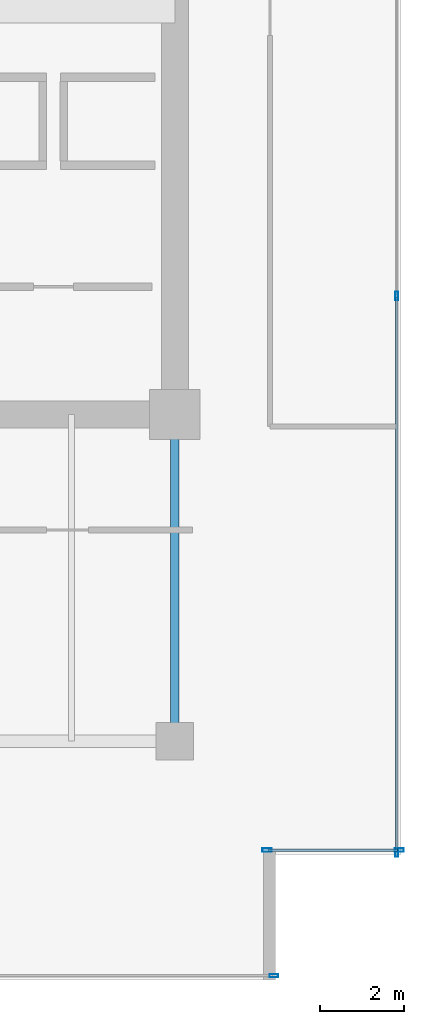
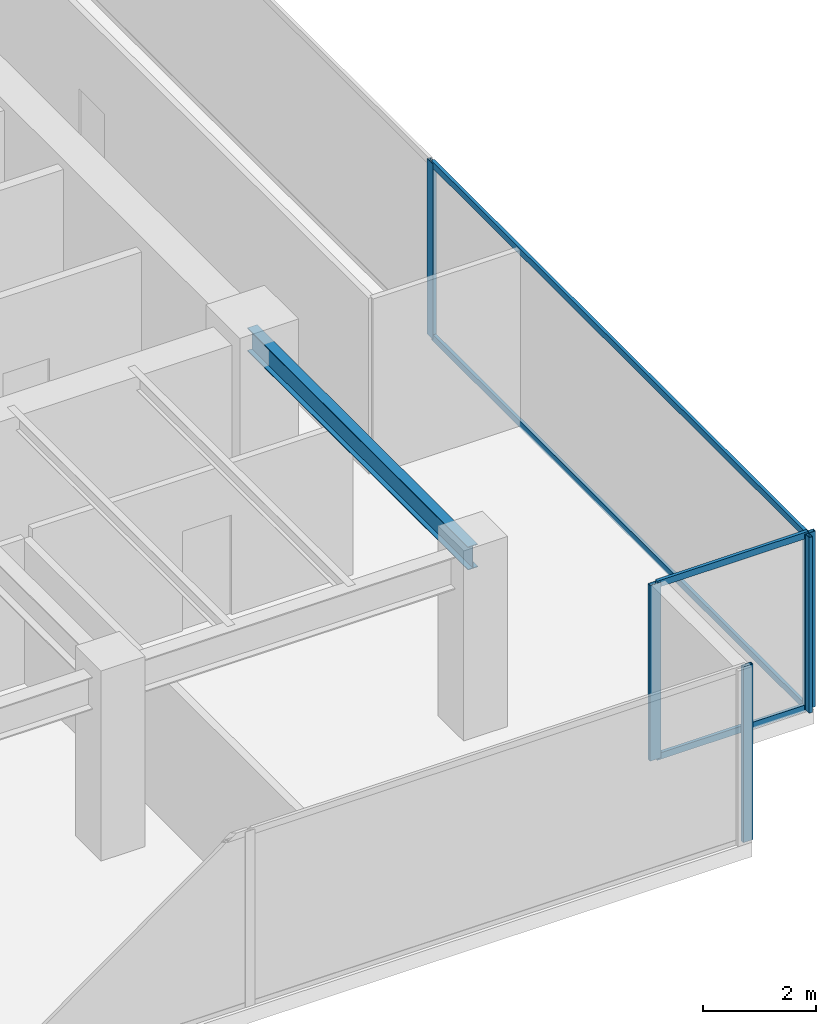
# One storey, part 21 of 30: 9 members, 1 beam, 3 elements without a shape of their own.
"""IFC4 building model written with IfcOpenShell, lengths in metres."""

from ifc_helpers import new_model, si_unit, direction, frame, origin, origin_2d, place, context, subcontext, project, spatial, hollow_rectangle, i_section, extrude, source, transform, mapped, material, layer, layer_set, material_profile, profile_set, type_object, type_shapes, element, aggregate, save


model = new_model("IFC4")

# Units and contexts
model_context = context("Model", 3, precision=1e-05, world=origin(), true_north=direction((0.0, 1.0)))
body_context = subcontext(model_context, "Body", "Model", "MODEL_VIEW")
ifc_project = project(units=[si_unit("LENGTHUNIT", "METRE"), si_unit("AREAUNIT", "SQUARE_METRE"), si_unit("VOLUMEUNIT", "CUBIC_METRE"), si_unit("PLANEANGLEUNIT", "RADIAN"), si_unit("MASSUNIT", "GRAM", prefix="KILO")], contexts=[model_context])

# Site, building, storey
site_placement = place(None, origin())
site = spatial("IfcSite", under=ifc_project, at=site_placement, CompositionType="ELEMENT")
building_placement = place(site_placement, origin())
building = spatial("IfcBuilding", under=site, at=building_placement, Name="Haelvirn Gate Laboratories", CompositionType="ELEMENT")
storey_placement = place(building_placement, frame((0.0, 0.0, 129.699951171875)))
storey = spatial("IfcBuildingStorey", under=building, at=storey_placement, Name="L31", CompositionType="ELEMENT", Elevation=129.699951171875)

# Beam
ifc_material_1 = material(Name="Steel SM355", Category="steel")
ifc_material_profile_1 = material_profile(ifc_material_1, i_section(OverallWidth=0.199951171875, OverallDepth=0.5, WebThickness=0.010009765625, FlangeThickness=0.01611328125, at=origin_2d()), Name="H-500x200x10x16")
ifc_profile_set_1 = profile_set([ifc_material_profile_1], Name="Steel SM355")
beam_type = type_object("IfcBeamType", Name="BM-SP-500", PredefinedType="SPANDREL", material=ifc_profile_set_1)
shared_shape_1 = source(origin(), body_context, "Body", "SweptSolid", [
    extrude(i_section(OverallWidth=0.199951171875, OverallDepth=0.5, WebThickness=0.010009765625, FlangeThickness=0.01611328125, at=origin_2d()), origin(), (0.0, 0.0, 1.0), 7.800048828125),
])
type_shapes(beam_type, [shared_shape_1])
beam_placement = place(storey_placement, frame((67.39990234375, 7.0, 3.5400390625), z_axis=(0.0, 1.0, 0.0), x_axis=(-1.0, 0.0, 0.0)))
element("IfcBeam", 1, at=beam_placement, inside=storey, type_object=beam_type, Name="L31 Perimeter Spandrel X67.4 (7.0-14.8)", PredefinedType="SPANDREL", context=body_context, shape_type="MappedRepresentation", body=[
    mapped(shared_shape_1, transform((0.0, 0.0, 0.0), scale=1.0)),
])

# Curtain wall, members
ifc_material_2 = material(Name="Anodised bronze unitised aluminium & triple low-E glass", Category="aluminium")
ifc_layer_1 = layer(ifc_material_2, 0.181884765625, Name="CW-SYS-5")
ifc_layer_set_1 = layer_set([ifc_layer_1], Name="Anodised bronze unitised aluminium & triple low-E glass")
curtain_wall_type_1 = type_object("IfcCurtainWallType", Name="CW-SYS-5", PredefinedType="NOTDEFINED", material=ifc_layer_set_1)
curtain_wall_1_placement = place(storey_placement, origin())
curtain_wall_1 = element("IfcCurtainWall", 2, at=curtain_wall_1_placement, inside=storey, type_object=curtain_wall_type_1, Name="L31 Unitised Curtain Wall CW-L31-P0-E06-1", PredefinedType="NOTDEFINED")
ifc_material_3 = material(Name="Extruded aluminium 6063-T6 (anodised bronze)", Category="aluminium")
ifc_material_profile_2 = material_profile(ifc_material_3, hollow_rectangle(XDim=0.06494140625, YDim=0.139892578125, WallThickness=0.00390625, at=origin_2d()), Name="CWT-140x65x4")
ifc_profile_set_2 = profile_set([ifc_material_profile_2], Name="Extruded aluminium 6063-T6 (anodised bronze)")
member_type_1 = type_object("IfcMemberType", Name="CWT-T140", PredefinedType="USERDEFINED", material=ifc_profile_set_2)
shared_shape_2 = source(origin(), body_context, "Body", "SweptSolid", [
    extrude(hollow_rectangle(XDim=0.06494140625, YDim=0.139892578125, WallThickness=0.00390625, at=origin_2d()), origin(), (0.0, 0.0, 1.0), 3.080078125),
])
member_1_placement = place(storey_placement, frame((69.639892578125, 4.39990234375, 0.032470703125), z_axis=(1.0, 0.0, 0.0), x_axis=(0.0, 1.0, 0.0)))
member_1 = element("IfcMember", 3, at=member_1_placement, type_object=member_type_1, Name="CW5 transom 1.1", ObjectType="TRANSOM", PredefinedType="USERDEFINED", context=body_context, shape_type="MappedRepresentation", body=[
    mapped(shared_shape_2, transform((0.0, 0.0, 0.0), scale=1.0)),
])
member_2_placement = place(storey_placement, frame((69.639892578125, 4.39990234375, 3.757568359375), z_axis=(1.0, 0.0, 0.0), x_axis=(0.0, 1.0, 0.0)))
member_2 = element("IfcMember", 4, at=member_2_placement, type_object=member_type_1, Name="CW5 transom 1.2", ObjectType="TRANSOM", PredefinedType="USERDEFINED", context=body_context, shape_type="MappedRepresentation", body=[
    mapped(shared_shape_2, transform((0.0, 0.0, 0.0), scale=1.0)),
])

ifc_layer_2 = layer(ifc_material_2, 0.179931640625, Name="CW-SYS-3")
ifc_layer_set_2 = layer_set([ifc_layer_2], Name="Anodised bronze unitised aluminium & triple low-E glass")
curtain_wall_type_2 = type_object("IfcCurtainWallType", Name="CW-SYS-3", PredefinedType="NOTDEFINED", material=ifc_layer_set_2)
curtain_wall_2_placement = place(storey_placement, origin())
curtain_wall_2 = element("IfcCurtainWall", 5, at=curtain_wall_2_placement, inside=storey, type_object=curtain_wall_type_2, Name="L31 Unitised Curtain Wall CW-L31-P0-E07", PredefinedType="NOTDEFINED")
shared_shape_3 = source(origin(), body_context, "Body", "SweptSolid", [
    extrude(hollow_rectangle(XDim=0.06494140625, YDim=0.139892578125, WallThickness=0.00390625, at=origin_2d()), origin(), (0.0, 0.0, 1.0), 13.220947265625),
])
type_shapes(member_type_1, [shared_shape_2, shared_shape_3])
member_3_placement = place(storey_placement, frame((72.699951171875, 4.375, 0.032470703125), z_axis=(0.0, 1.0, 0.0), x_axis=(-1.0, 0.0, 0.0)))
member_3 = element("IfcMember", 6, at=member_3_placement, type_object=member_type_1, Name="CW3 transom 1.1", ObjectType="TRANSOM", PredefinedType="USERDEFINED", context=body_context, shape_type="MappedRepresentation", body=[
    mapped(shared_shape_3, transform((0.0, 0.0, 0.0), scale=1.0)),
])
member_4_placement = place(storey_placement, frame((72.699951171875, 4.375, 3.757568359375), z_axis=(0.0, 1.0, 0.0), x_axis=(-1.0, 0.0, 0.0)))
member_4 = element("IfcMember", 7, at=member_4_placement, type_object=member_type_1, Name="CW3 transom 1.2", ObjectType="TRANSOM", PredefinedType="USERDEFINED", context=body_context, shape_type="MappedRepresentation", body=[
    mapped(shared_shape_3, transform((0.0, 0.0, 0.0), scale=1.0)),
])

# Curtain wall, member
curtain_wall_3_placement = place(storey_placement, origin())
curtain_wall_3 = element("IfcCurtainWall", 8, at=curtain_wall_3_placement, inside=storey, type_object=curtain_wall_type_2, Name="L31 Unitised Curtain Wall CW-L31-P0-E04-1", PredefinedType="NOTDEFINED")
ifc_material_profile_3 = material_profile(ifc_material_3, hollow_rectangle(XDim=0.074951171875, YDim=0.199951171875, WallThickness=0.0048828125, at=origin_2d()), Name="CWM-200x75x5")
ifc_profile_set_3 = profile_set([ifc_material_profile_3], Name="Extruded aluminium 6063-T6 (anodised bronze)")
member_type_2 = type_object("IfcMemberType", Name="CWM-T200", PredefinedType="MULLION", material=ifc_profile_set_3)
shared_shape_4 = source(origin(), body_context, "Body", "SweptSolid", [
    extrude(hollow_rectangle(XDim=0.074951171875, YDim=0.199951171875, WallThickness=0.0048828125, at=origin_2d()), origin(), (0.0, 0.0, 1.0), 3.7900390625),
])
type_shapes(member_type_2, [shared_shape_4])
member_5_placement = place(storey_placement, frame((69.762451171875, 1.39990234375, 0.0), z_axis=(0.0, 0.0, 1.0), x_axis=(0.0, 1.0, 0.0)))
member_5 = element("IfcMember", 9, at=member_5_placement, type_object=member_type_2, Name="CW3 mullion 3", PredefinedType="MULLION", context=body_context, shape_type="MappedRepresentation", body=[
    mapped(shared_shape_4, transform((0.0, 0.0, 0.0), scale=1.0)),
])
aggregate(curtain_wall_3, [member_5])

# Member
member_6_placement = place(storey_placement, frame((72.699951171875, 4.33740234375, 0.0), z_axis=(0.0, 0.0, 1.0), x_axis=(-1.0, 0.0, 0.0)))
member_6 = element("IfcMember", 10, at=member_6_placement, type_object=member_type_2, Name="CW3 mullion 1", PredefinedType="MULLION", context=body_context, shape_type="MappedRepresentation", body=[
    mapped(shared_shape_4, transform((0.0, 0.0, 0.0), scale=1.0)),
])

member_7_placement = place(storey_placement, frame((72.699951171875, 17.63330078125, 0.0), z_axis=(0.0, 0.0, 1.0), x_axis=(-1.0, 0.0, 0.0)))
member_7 = element("IfcMember", 11, at=member_7_placement, type_object=member_type_2, Name="CW3 mullion 2", PredefinedType="MULLION", context=body_context, shape_type="MappedRepresentation", body=[
    mapped(shared_shape_4, transform((0.0, 0.0, 0.0), scale=1.0)),
])

aggregate(curtain_wall_2, [member_6, member_7, member_3, member_4])

ifc_material_profile_4 = material_profile(ifc_material_3, hollow_rectangle(XDim=0.080078125, YDim=0.219970703125, WallThickness=0.006103515625, at=origin_2d()), Name="CWM-220x80x6")
ifc_profile_set_4 = profile_set([ifc_material_profile_4], Name="Extruded aluminium 6063-T6 (anodised bronze)")
member_type_3 = type_object("IfcMemberType", Name="CWM-T220", PredefinedType="MULLION", material=ifc_profile_set_4)
shared_shape_5 = source(origin(), body_context, "Body", "SweptSolid", [
    extrude(hollow_rectangle(XDim=0.080078125, YDim=0.219970703125, WallThickness=0.006103515625, at=origin_2d()), origin(), (0.0, 0.0, 1.0), 3.7900390625),
])
type_shapes(member_type_3, [shared_shape_5])
member_8_placement = place(storey_placement, frame((69.60009765625, 4.39990234375, 0.0), z_axis=(0.0, 0.0, 1.0), x_axis=(0.0, 1.0, 0.0)))
member_8 = element("IfcMember", 12, at=member_8_placement, type_object=member_type_3, Name="CW5 mullion 1", PredefinedType="MULLION", context=body_context, shape_type="MappedRepresentation", body=[
    mapped(shared_shape_5, transform((0.0, 0.0, 0.0), scale=1.0)),
])

member_9_placement = place(storey_placement, frame((72.760009765625, 4.39990234375, 0.0), z_axis=(0.0, 0.0, 1.0), x_axis=(0.0, 1.0, 0.0)))
member_9 = element("IfcMember", 13, at=member_9_placement, type_object=member_type_3, Name="CW5 mullion 2", PredefinedType="MULLION", context=body_context, shape_type="MappedRepresentation", body=[
    mapped(shared_shape_5, transform((0.0, 0.0, 0.0), scale=1.0)),
])

aggregate(curtain_wall_1, [member_8, member_9, member_1, member_2])

save(model, "model.ifc")
